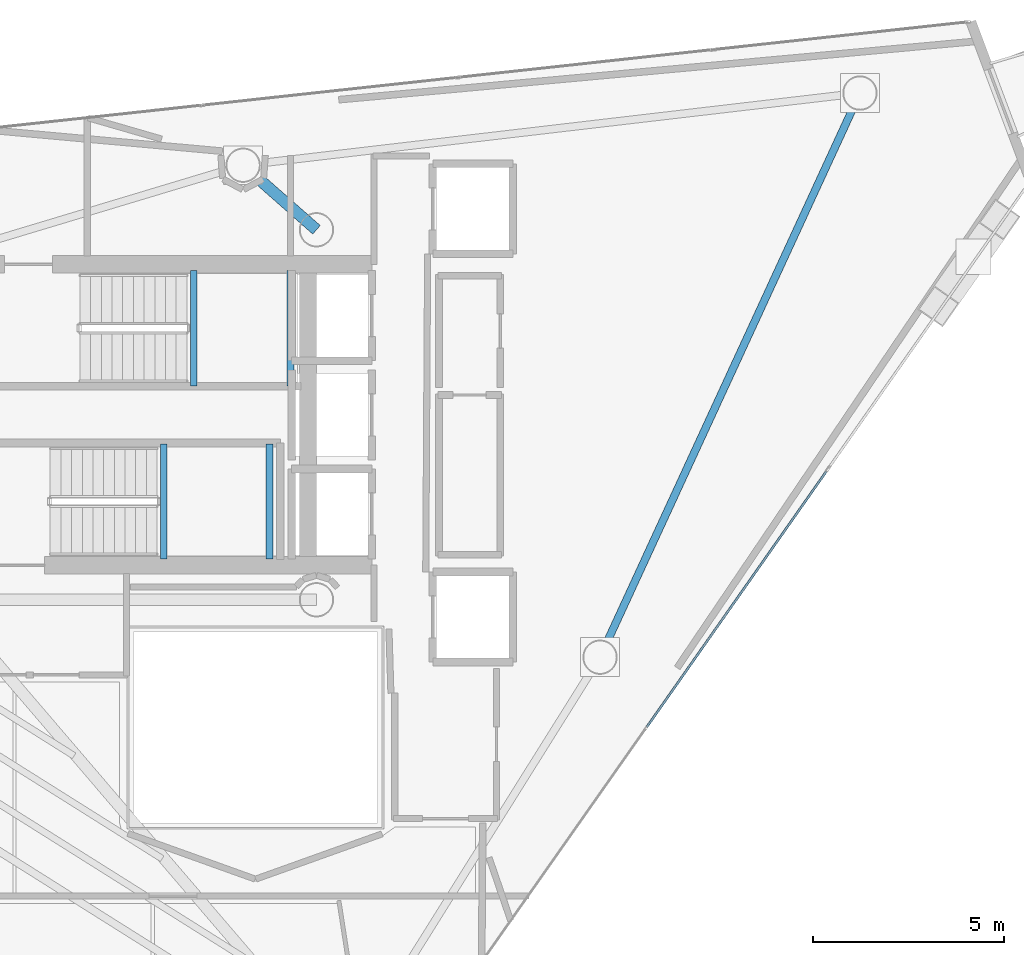
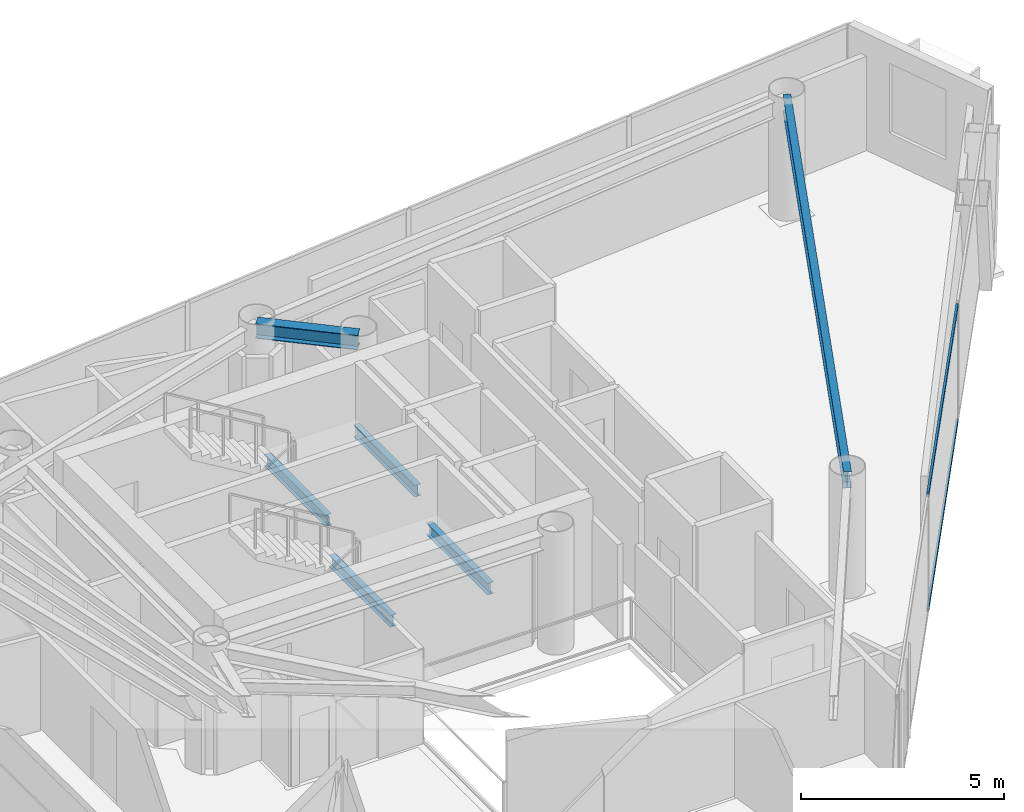
# One storey, part 10 of 19: 6 beams, 2 members, 1 element without a shape of its own.
"""IFC4 building model written with IfcOpenShell, lengths in metres."""

from ifc_helpers import new_model, si_unit, direction, frame, origin, origin_2d, place, context, subcontext, project, spatial, hollow_rectangle, i_section, extrude, material, layer, layer_set, material_profile, profile_set, type_object, element, aggregate, save


model = new_model("IFC4")

# Units and contexts
model_context = context("Model", 3, precision=1e-05, world=origin(), true_north=direction((0.0, 1.0)))
body_context = subcontext(model_context, "Body", "Model", "MODEL_VIEW")
ifc_project = project(units=[si_unit("LENGTHUNIT", "METRE"), si_unit("AREAUNIT", "SQUARE_METRE"), si_unit("VOLUMEUNIT", "CUBIC_METRE"), si_unit("PLANEANGLEUNIT", "RADIAN"), si_unit("MASSUNIT", "GRAM", prefix="KILO")], contexts=[model_context])

# Site, building, storey
site_placement = place(None, origin())
site = spatial("IfcSite", under=ifc_project, at=site_placement, CompositionType="ELEMENT")
building_placement = place(site_placement, origin())
building = spatial("IfcBuilding", under=site, at=building_placement, Name="Qianvela Tower", CompositionType="ELEMENT")
storey_placement = place(building_placement, frame((0.0, 0.0, 280.60009765625)))
storey = spatial("IfcBuildingStorey", under=building, at=storey_placement, Name="L72", CompositionType="ELEMENT", Elevation=280.60009765625)

# Beams
ifc_material_1 = material(Name="Steel Q355B", Category="steel")
ifc_material_profile_1 = material_profile(ifc_material_1, i_section(OverallWidth=0.300048828125, OverallDepth=0.43994140625, WebThickness=0.010986328125, FlangeThickness=0.01806640625, at=origin_2d()), Name="HM440x300x11x18")
ifc_profile_set_1 = profile_set([ifc_material_profile_1], Name="Steel Q355B")
beam_type_1 = type_object("IfcBeamType", Name="BM-HM440-COLL", PredefinedType="BEAM", material=ifc_profile_set_1)
beam_1_placement = place(storey_placement, frame((38.39990234375, 33.550048828125, 3.2978515625), z_axis=(-0.750732416106, 0.660606417928, 0.0), x_axis=(-0.660606417928, -0.750732416106, 0.0)))
element("IfcBeam", 1, at=beam_1_placement, inside=storey, type_object=beam_type_1, Name="L72 Radial Primary Floor Girder 2", PredefinedType="BEAM", context=body_context, shape_type="SweptSolid", body=[
    extrude(i_section(OverallWidth=0.300048828125, OverallDepth=0.43994140625, WebThickness=0.010986328125, FlangeThickness=0.01806640625, at=origin_2d()), origin(), (0.0, 0.0, 1.0), 2.5625),
])
ifc_material_2 = material(Name="Steel Q355B", Category="steel")
ifc_material_profile_2 = material_profile(ifc_material_2, i_section(OverallWidth=0.175048828125, OverallDepth=0.35009765625, WebThickness=0.007080078125, FlangeThickness=0.010986328125, at=origin_2d()), Name="HN350x175x7x11")
ifc_profile_set_2 = profile_set([ifc_material_profile_2], Name="Steel Q355B")
beam_type_2 = type_object("IfcBeamType", Name="BM-HN350-JOIST", PredefinedType="JOIST", material=ifc_profile_set_2)
for number, where, z_axis, x_axis, name in (
    (2, (35.179931640625, 29.4599609375, 1.474853515625), (0.0, 1.0, 0.0), (-1.0, 0.0, 0.0), "L72 Stair ST-1 Landing Support Beam 1.1"),
    (3, (37.719970703125, 29.4599609375, 1.474853515625), (0.0, 1.0, 0.0), (-1.0, 0.0, 0.0), "L72 Stair ST-1 Landing Support Beam 1.2"),
    (4, (34.39990234375, 24.919921875, 1.474853515625), (0.0, 1.0, 0.0), (-1.0, 0.0, 0.0), "L72 Stair ST-2 Landing Support Beam 1.1"),
    (5, (37.169921875, 24.919921875, 1.474853515625), (0.0, 1.0, 0.0), (-1.0, 0.0, 0.0), "L72 Stair ST-2 Landing Support Beam 1.2"),
):
    element("IfcBeam", number, at=place(storey_placement, frame(where, z_axis=z_axis, x_axis=x_axis)), inside=storey, type_object=beam_type_2, Name=name, PredefinedType="JOIST", context=body_context, shape_type="SweptSolid", body=[
        extrude(i_section(OverallWidth=0.175048828125, OverallDepth=0.35009765625, WebThickness=0.007080078125, FlangeThickness=0.010986328125, at=origin_2d()), origin(), (0.0, 0.0, 1.0), 3.02001953125),
    ])
ifc_material_3 = material(Name="Steel Q355B", Category="steel")
ifc_material_profile_3 = material_profile(ifc_material_3, i_section(OverallWidth=0.199951171875, OverallDepth=0.5, WebThickness=0.010009765625, FlangeThickness=0.01611328125, at=origin_2d()), Name="HN500x200x10x16")
ifc_profile_set_3 = profile_set([ifc_material_profile_3], Name="Steel Q355B")
beam_type_3 = type_object("IfcBeamType", Name="BM-HN500-GIRD", PredefinedType="BEAM", material=ifc_profile_set_3)
beam_2_placement = place(storey_placement, frame((45.833984375, 22.344970703125, 3.267822265625), z_axis=(0.418440097712, 0.908244396969, 0.0), x_axis=(-0.908244396969, 0.418440097712, 0.0)))
element("IfcBeam", 6, at=beam_2_placement, inside=storey, type_object=beam_type_3, Name="L72 Perimeter Ring Spandrel Girder 6", PredefinedType="BEAM", context=body_context, shape_type="SweptSolid", body=[
    extrude(i_section(OverallWidth=0.199951171875, OverallDepth=0.5, WebThickness=0.010009765625, FlangeThickness=0.01611328125, at=origin_2d()), origin(), (0.0, 0.0, 1.0), 16.2841796875),
])

# Curtain wall, members
ifc_material_4 = material(Name="Anodised Architectural Aluminium and Low-E Glass", Category="aluminium")
ifc_layer = layer(ifc_material_4, 0.14990234375)
ifc_layer_set = layer_set([ifc_layer], Name="Anodised Architectural Aluminium and Low-E Glass")
curtain_wall_type = type_object("IfcCurtainWallType", Name="CW-COLIV-Z78", PredefinedType="USERDEFINED", material=ifc_layer_set)
curtain_wall_placement = place(storey_placement, origin())
curtain_wall = element("IfcCurtainWall", 7, at=curtain_wall_placement, inside=storey, type_object=curtain_wall_type, Name="L72 CW-COLIV-Z78 Curtain Wall 06A", ObjectType="CURTAIN_WALL_SYSTEM", PredefinedType="USERDEFINED")
ifc_material_5 = material(Name="Anodised Architectural Aluminium 6063-T6", Category="aluminium")
ifc_material_profile_4 = material_profile(ifc_material_5, hollow_rectangle(XDim=0.06005859375, YDim=0.114990234375, WallThickness=0.00390625, at=origin_2d()), Name="ALU-TRAN-60x115")
ifc_profile_set_4 = profile_set([ifc_material_profile_4], Name="Anodised Architectural Aluminium 6063-T6")
member_type = type_object("IfcMemberType", Name="CW-COLIV-Z78-TRAN", PredefinedType="USERDEFINED", material=ifc_profile_set_4)
member_1_placement = place(storey_placement, frame((47.058837890625, 20.51318359375, 0.02978515625), z_axis=(0.574816553679, 0.818282304353, 0.0), x_axis=(-0.818282304353, 0.574816553679, 0.0)))
member_1 = element("IfcMember", 8, at=member_1_placement, type_object=member_type, Name="CW-6 transom 3.1", ObjectType="TRANSOM", PredefinedType="USERDEFINED", context=body_context, shape_type="SweptSolid", body=[
    extrude(hollow_rectangle(XDim=0.06005859375, YDim=0.114990234375, WallThickness=0.00390625, at=origin_2d()), origin(), (0.0, 0.0, 1.0), 8.1865234375),
])
member_2_placement = place(storey_placement, frame((47.058837890625, 20.51318359375, 3.489990234375), z_axis=(0.574816553679, 0.818282304353, 0.0), x_axis=(-0.818282304353, 0.574816553679, 0.0)))
member_2 = element("IfcMember", 9, at=member_2_placement, type_object=member_type, Name="CW-6 transom 3.2", ObjectType="TRANSOM", PredefinedType="USERDEFINED", context=body_context, shape_type="SweptSolid", body=[
    extrude(hollow_rectangle(XDim=0.06005859375, YDim=0.114990234375, WallThickness=0.00390625, at=origin_2d()), origin(), (0.0, 0.0, 1.0), 8.1865234375),
])
aggregate(curtain_wall, [member_1, member_2])

save(model, "model.ifc")
